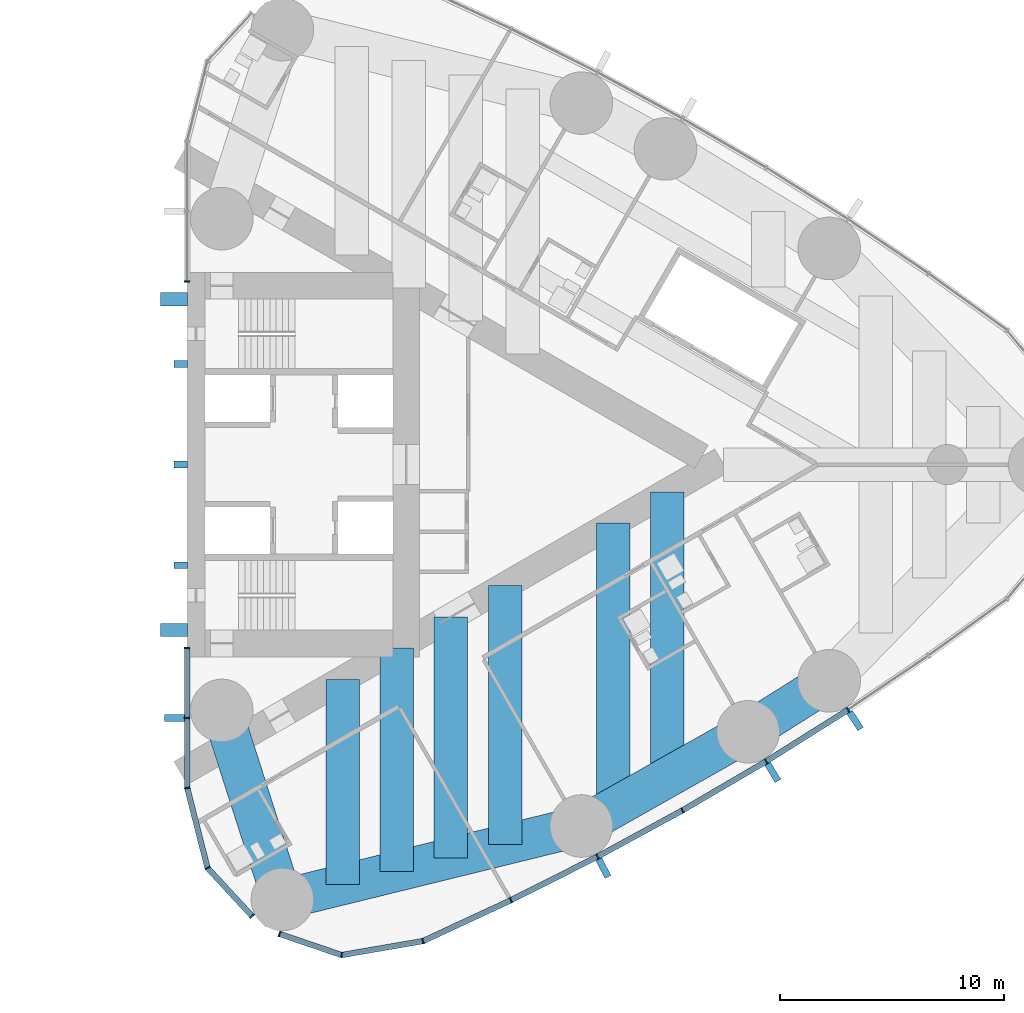
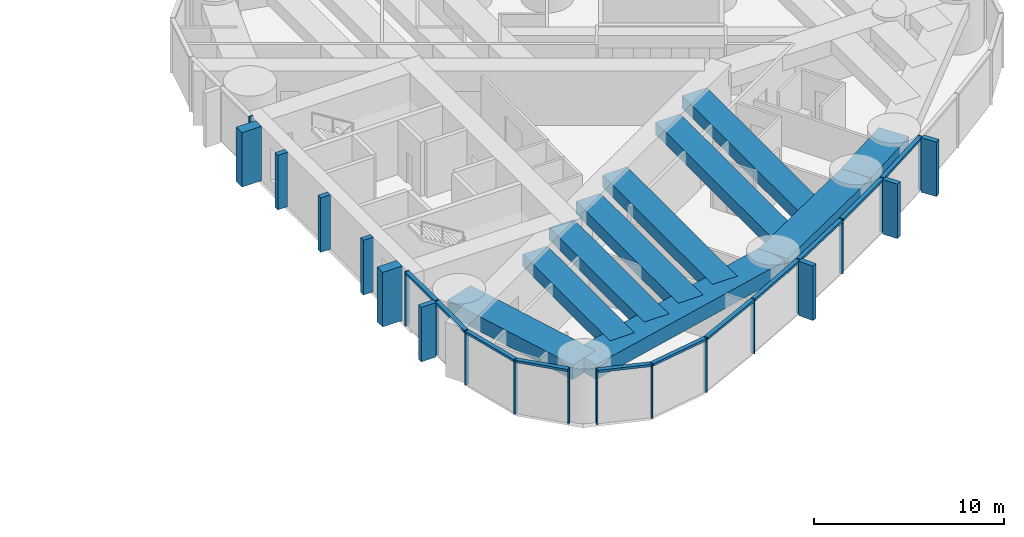
# One storey, part 6 of 19: 34 members, 10 beams, 3 elements without a shape of their own.
"""IFC4 building model written with IfcOpenShell, lengths in metres."""

from ifc_helpers import new_model, si_unit, direction, frame, origin, origin_2d, place, context, subcontext, project, spatial, rectangle, extrude, material, material_profile, profile_set, type_object, element, aggregate, save


model = new_model("IFC4")

# Units and contexts
model_context = context("Model", 3, precision=1e-05, world=origin(), true_north=direction((0.0, 1.0)))
body_context = subcontext(model_context, "Body", "Model", "MODEL_VIEW")
ifc_project = project(units=[si_unit("LENGTHUNIT", "METRE"), si_unit("AREAUNIT", "SQUARE_METRE"), si_unit("VOLUMEUNIT", "CUBIC_METRE"), si_unit("PLANEANGLEUNIT", "RADIAN"), si_unit("MASSUNIT", "GRAM", prefix="KILO")], contexts=[model_context])

# Site, building, storey
site_placement = place(None, origin())
site = spatial("IfcSite", under=ifc_project, at=site_placement, CompositionType="ELEMENT")
building_placement = place(site_placement, origin())
building = spatial("IfcBuilding", under=site, at=building_placement, Name="Lancet Gate Hotel", CompositionType="ELEMENT")
storey_placement = place(building_placement, frame((0.0, 0.0, 163.300048828125)))
storey = spatial("IfcBuildingStorey", under=building, at=storey_placement, Name="L43", CompositionType="ELEMENT", Elevation=163.300048828125)

# Curtain wall, members
ifc_material_1 = material(Name="Aluminium curtain wall", Category="aluminium")
curtain_wall_type = type_object("IfcCurtainWallType", Name="Tower unitised curtain wall", PredefinedType="USERDEFINED", material=ifc_material_1)
curtain_wall_1_placement = place(storey_placement, origin())
curtain_wall_1 = element("IfcCurtainWall", 1, at=curtain_wall_1_placement, inside=storey, type_object=curtain_wall_type, Name="T2 L43 curtain wall 1", ObjectType="UNITISED CURTAIN WALL", PredefinedType="USERDEFINED")
ifc_material_2 = material(Name="Aluminium mullion", Category="aluminium")
ifc_material_profile_1 = material_profile(ifc_material_2, rectangle(XDim=0.06494140625, YDim=0.25, at=origin_2d()), Name="MULLION 65x250")
ifc_profile_set_1 = profile_set([ifc_material_profile_1], Name="Aluminium mullion")
member_type_1 = type_object("IfcMemberType", Name="Aluminium mullion 65x250", PredefinedType="MULLION", material=ifc_profile_set_1)
member_1_placement = place(storey_placement, frame((27.5, -8.199951171875, 0.0), z_axis=(0.0, 0.0, 1.0), x_axis=(0.0, -1.0, 0.0)))
member_1 = element("IfcMember", 2, at=member_1_placement, type_object=member_type_1, Name="T2 L43 curtain wall 1 mullion 1", PredefinedType="MULLION", context=body_context, shape_type="SweptSolid", body=[
    extrude(rectangle(XDim=0.06494140625, YDim=0.25, at=origin_2d()), origin(), (0.0, 0.0, 1.0), 3.5),
])
member_2_placement = place(storey_placement, frame((27.5, -11.332763671875, 0.0), z_axis=(0.0, 0.0, 1.0), x_axis=(0.0, -1.0, 0.0)))
member_2 = element("IfcMember", 3, at=member_2_placement, type_object=member_type_1, Name="T2 L43 curtain wall 1 mullion 2", PredefinedType="MULLION", context=body_context, shape_type="SweptSolid", body=[
    extrude(rectangle(XDim=0.06494140625, YDim=0.25, at=origin_2d()), origin(), (0.0, 0.0, 1.0), 3.5),
])
member_3_placement = place(storey_placement, frame((27.5, -14.465576171875, 0.0), z_axis=(0.0, 0.0, 1.0), x_axis=(0.134206524909, -0.990953383703, 0.0)))
member_3 = element("IfcMember", 4, at=member_3_placement, type_object=member_type_1, Name="T2 L43 curtain wall 1 mullion 3", PredefinedType="MULLION", context=body_context, shape_type="SweptSolid", body=[
    extrude(rectangle(XDim=0.06494140625, YDim=0.25, at=origin_2d()), origin(), (0.0, 0.0, 1.0), 3.5),
])
member_4_placement = place(storey_placement, frame((28.408935546875, -18.04443359375, 0.0), z_axis=(0.0, 0.0, 1.0), x_axis=(0.451505925065, -0.892268120932, 0.0)))
member_4 = element("IfcMember", 5, at=member_4_placement, type_object=member_type_1, Name="T2 L43 curtain wall 1 mullion 4", PredefinedType="MULLION", context=body_context, shape_type="SweptSolid", body=[
    extrude(rectangle(XDim=0.06494140625, YDim=0.25, at=origin_2d()), origin(), (0.0, 0.0, 1.0), 3.5),
])
member_5_placement = place(storey_placement, frame((30.40185546875, -20.199951171875, 0.0), z_axis=(0.0, 0.0, 1.0), x_axis=(0.67883123083, -0.734294327943, 0.0)))
member_5 = element("IfcMember", 6, at=member_5_placement, type_object=member_type_1, Name="T2 L43 curtain wall 1 mullion 5", PredefinedType="MULLION", context=body_context, shape_type="SweptSolid", body=[
    extrude(rectangle(XDim=0.06494140625, YDim=0.25, at=origin_2d()), origin(), (0.0, 0.0, 1.0), 3.5),
])

curtain_wall_2_placement = place(storey_placement, origin())
curtain_wall_2 = element("IfcCurtainWall", 7, at=curtain_wall_2_placement, inside=storey, type_object=curtain_wall_type, Name="T2 L43 curtain wall 2", ObjectType="UNITISED CURTAIN WALL", PredefinedType="USERDEFINED")
member_6_placement = place(storey_placement, frame((31.631591796875, -20.998779296875, 0.0), z_axis=(0.0, 0.0, 1.0), x_axis=(0.946952368511, -0.321373943827, 0.0)))
member_6 = element("IfcMember", 8, at=member_6_placement, type_object=member_type_1, Name="T2 L43 curtain wall 2 mullion 1", PredefinedType="MULLION", context=body_context, shape_type="SweptSolid", body=[
    extrude(rectangle(XDim=0.06494140625, YDim=0.25, at=origin_2d()), origin(), (0.0, 0.0, 1.0), 3.5),
])
member_7_placement = place(storey_placement, frame((34.412109375, -21.9423828125, 0.0), z_axis=(0.0, 0.0, 1.0), x_axis=(0.99877556888, -0.049470829879, 0.0)))
member_7 = element("IfcMember", 9, at=member_7_placement, type_object=member_type_1, Name="T2 L43 curtain wall 2 mullion 2", PredefinedType="MULLION", context=body_context, shape_type="SweptSolid", body=[
    extrude(rectangle(XDim=0.06494140625, YDim=0.25, at=origin_2d()), origin(), (0.0, 0.0, 1.0), 3.5),
])
member_8_placement = place(storey_placement, frame((38.05126953125, -21.31689453125, 0.0), z_axis=(0.0, 0.0, 1.0), x_axis=(0.951355493327, 0.308095318555, 0.0)))
member_8 = element("IfcMember", 10, at=member_8_placement, type_object=member_type_1, Name="T2 L43 curtain wall 2 mullion 3", PredefinedType="MULLION", context=body_context, shape_type="SweptSolid", body=[
    extrude(rectangle(XDim=0.06494140625, YDim=0.25, at=origin_2d()), origin(), (0.0, 0.0, 1.0), 3.5),
])
member_9_placement = place(storey_placement, frame((41.98193359375, -19.490966796875, 0.0), z_axis=(0.0, 0.0, 1.0), x_axis=(0.900141333422, 0.435597956681, 0.0)))
member_9 = element("IfcMember", 11, at=member_9_placement, type_object=member_type_1, Name="T2 L43 curtain wall 2 mullion 4", PredefinedType="MULLION", context=body_context, shape_type="SweptSolid", body=[
    extrude(rectangle(XDim=0.06494140625, YDim=0.25, at=origin_2d()), origin(), (0.0, 0.0, 1.0), 3.5),
])
member_10_placement = place(storey_placement, frame((45.8525390625, -17.54150390625, 0.0), z_axis=(0.0, 0.0, 1.0), x_axis=(0.885877049989, 0.463920092584, 0.0)))
member_10 = element("IfcMember", 12, at=member_10_placement, type_object=member_type_1, Name="T2 L43 curtain wall 2 mullion 5", PredefinedType="MULLION", context=body_context, shape_type="SweptSolid", body=[
    extrude(rectangle(XDim=0.06494140625, YDim=0.25, at=origin_2d()), origin(), (0.0, 0.0, 1.0), 3.5),
])
member_11_placement = place(storey_placement, frame((49.65966796875, -15.47021484375, 0.0), z_axis=(0.0, 0.0, 1.0), x_axis=(0.870721916932, 0.491775704336, 0.0)))
member_11 = element("IfcMember", 13, at=member_11_placement, type_object=member_type_1, Name="T2 L43 curtain wall 2 mullion 6", PredefinedType="MULLION", context=body_context, shape_type="SweptSolid", body=[
    extrude(rectangle(XDim=0.06494140625, YDim=0.25, at=origin_2d()), origin(), (0.0, 0.0, 1.0), 3.5),
])
member_12_placement = place(storey_placement, frame((53.39892578125, -13.279541015625, 0.0), z_axis=(0.0, 0.0, 1.0), x_axis=(0.854691174453, 0.519136779965, 0.0)))
member_12 = element("IfcMember", 14, at=member_12_placement, type_object=member_type_1, Name="T2 L43 curtain wall 2 mullion 7", PredefinedType="MULLION", context=body_context, shape_type="SweptSolid", body=[
    extrude(rectangle(XDim=0.06494140625, YDim=0.25, at=origin_2d()), origin(), (0.0, 0.0, 1.0), 3.5),
])
member_13_placement = place(storey_placement, frame((57.067138671875, -10.970947265625, 0.0), z_axis=(0.0, 0.0, 1.0), x_axis=(0.837800943278, 0.545975804815, 0.0)))
member_13 = element("IfcMember", 15, at=member_13_placement, type_object=member_type_1, Name="T2 L43 curtain wall 2 mullion 8", PredefinedType="MULLION", context=body_context, shape_type="SweptSolid", body=[
    extrude(rectangle(XDim=0.06494140625, YDim=0.25, at=origin_2d()), origin(), (0.0, 0.0, 1.0), 3.5),
])

# Curtain wall, member
curtain_wall_3_placement = place(storey_placement, origin())
curtain_wall_3 = element("IfcCurtainWall", 16, at=curtain_wall_3_placement, inside=storey, type_object=curtain_wall_type, Name="T2 L43 curtain wall 4", ObjectType="UNITISED CURTAIN WALL", PredefinedType="USERDEFINED")
member_14_placement = place(storey_placement, frame((27.5, 8.199951171875, 0.0), z_axis=(0.0, 0.0, 1.0), x_axis=(0.0, -1.0, 0.0)))
member_14 = element("IfcMember", 17, at=member_14_placement, type_object=member_type_1, Name="T2 L43 curtain wall 4 mullion 5", PredefinedType="MULLION", context=body_context, shape_type="SweptSolid", body=[
    extrude(rectangle(XDim=0.06494140625, YDim=0.25, at=origin_2d()), origin(), (0.0, 0.0, 1.0), 3.5),
])
aggregate(curtain_wall_3, [member_14])

# Member
ifc_material_3 = material(Name="Aluminium transom", Category="aluminium")
ifc_material_profile_2 = material_profile(ifc_material_3, rectangle(XDim=0.25, YDim=0.14990234375, at=origin_2d()), Name="TRANSOM 250x150")
ifc_profile_set_2 = profile_set([ifc_material_profile_2], Name="Aluminium transom")
member_type_2 = type_object("IfcMemberType", Name="Aluminium transom 250x150", PredefinedType="USERDEFINED", material=ifc_profile_set_2)
member_15_placement = place(storey_placement, frame((27.5, -8.232421875, 3.425048828125), z_axis=(0.0, -1.0, 0.0), x_axis=(1.0, 0.0, 0.0)))
member_15 = element("IfcMember", 18, at=member_15_placement, type_object=member_type_2, Name="T2 L43 curtain wall 1 transom 1", ObjectType="TRANSOM", PredefinedType="USERDEFINED", context=body_context, shape_type="SweptSolid", body=[
    extrude(rectangle(XDim=0.25, YDim=0.14990234375, at=origin_2d()), origin(), (0.0, 0.0, 1.0), 3.06787109375),
])

member_16_placement = place(storey_placement, frame((27.5, -11.365234375, 3.425048828125), z_axis=(0.0, -1.0, 0.0), x_axis=(1.0, 0.0, 0.0)))
member_16 = element("IfcMember", 19, at=member_16_placement, type_object=member_type_2, Name="T2 L43 curtain wall 1 transom 2", ObjectType="TRANSOM", PredefinedType="USERDEFINED", context=body_context, shape_type="SweptSolid", body=[
    extrude(rectangle(XDim=0.25, YDim=0.14990234375, at=origin_2d()), origin(), (0.0, 0.0, 1.0), 3.06787109375),
])

member_17_placement = place(storey_placement, frame((27.508056640625, -14.4970703125, 3.425048828125), z_axis=(0.246128756616, -0.969237140831, 0.0), x_axis=(0.969237140831, 0.246128756616, 0.0)))
member_17 = element("IfcMember", 20, at=member_17_placement, type_object=member_type_2, Name="T2 L43 curtain wall 1 transom 3", ObjectType="TRANSOM", PredefinedType="USERDEFINED", context=body_context, shape_type="SweptSolid", body=[
    extrude(rectangle(XDim=0.25, YDim=0.14990234375, at=origin_2d()), origin(), (0.0, 0.0, 1.0), 3.62744140625),
])

member_18_placement = place(storey_placement, frame((28.43115234375, -18.068359375, 3.425048828125), z_axis=(0.678792146129, -0.734330458549, 0.0), x_axis=(0.734330458549, 0.678792146129, 0.0)))
member_18 = element("IfcMember", 21, at=member_18_placement, type_object=member_type_2, Name="T2 L43 curtain wall 1 transom 4", ObjectType="TRANSOM", PredefinedType="USERDEFINED", context=body_context, shape_type="SweptSolid", body=[
    extrude(rectangle(XDim=0.25, YDim=0.14990234375, at=origin_2d()), origin(), (0.0, 0.0, 1.0), 2.87060546875),
])

member_19_placement = place(storey_placement, frame((31.662353515625, -21.00927734375, 3.425048828125), z_axis=(0.946943122832, -0.321401185625, 0.0), x_axis=(0.321401185625, 0.946943122832, 0.0)))
member_19 = element("IfcMember", 22, at=member_19_placement, type_object=member_type_2, Name="T2 L43 curtain wall 2 transom 1", ObjectType="TRANSOM", PredefinedType="USERDEFINED", context=body_context, shape_type="SweptSolid", body=[
    extrude(rectangle(XDim=0.25, YDim=0.14990234375, at=origin_2d()), origin(), (0.0, 0.0, 1.0), 2.871337890625),
])

member_20_placement = place(storey_placement, frame((34.444091796875, -21.93701171875, 3.425048828125), z_axis=(0.985536950873, 0.169460669373, 0.0), x_axis=(-0.169460669373, 0.985536950873, 0.0)))
member_20 = element("IfcMember", 23, at=member_20_placement, type_object=member_type_2, Name="T2 L43 curtain wall 2 transom 2", ObjectType="TRANSOM", PredefinedType="USERDEFINED", context=body_context, shape_type="SweptSolid", body=[
    extrude(rectangle(XDim=0.25, YDim=0.14990234375, at=origin_2d()), origin(), (0.0, 0.0, 1.0), 3.627685546875),
])

member_21_placement = place(storey_placement, frame((38.080810546875, -21.30322265625, 3.425048828125), z_axis=(0.906913768492, 0.421316290357, 0.0), x_axis=(-0.421316290357, 0.906913768492, 0.0)))
member_21 = element("IfcMember", 24, at=member_21_placement, type_object=member_type_2, Name="T2 L43 curtain wall 2 transom 3", ObjectType="TRANSOM", PredefinedType="USERDEFINED", context=body_context, shape_type="SweptSolid", body=[
    extrude(rectangle(XDim=0.25, YDim=0.14990234375, at=origin_2d()), origin(), (0.0, 0.0, 1.0), 4.26904296875),
])

member_22_placement = place(storey_placement, frame((42.010986328125, -19.476318359375, 3.425048828125), z_axis=(0.893130969207, 0.449796700571, 0.0), x_axis=(-0.449796700571, 0.893130969207, 0.0)))
member_22 = element("IfcMember", 25, at=member_22_placement, type_object=member_type_2, Name="T2 L43 curtain wall 2 transom 4", ObjectType="TRANSOM", PredefinedType="USERDEFINED", context=body_context, shape_type="SweptSolid", body=[
    extrude(rectangle(XDim=0.25, YDim=0.14990234375, at=origin_2d()), origin(), (0.0, 0.0, 1.0), 4.26904296875),
])

member_23_placement = place(storey_placement, frame((45.881103515625, -17.526123046875, 3.425048828125), z_axis=(0.878404302735, 0.477918278513, 0.0), x_axis=(-0.477918278513, 0.878404302735, 0.0)))
member_23 = element("IfcMember", 26, at=member_23_placement, type_object=member_type_2, Name="T2 L43 curtain wall 2 transom 5", ObjectType="TRANSOM", PredefinedType="USERDEFINED", context=body_context, shape_type="SweptSolid", body=[
    extrude(rectangle(XDim=0.25, YDim=0.14990234375, at=origin_2d()), origin(), (0.0, 0.0, 1.0), 4.26904296875),
])

member_24_placement = place(storey_placement, frame((49.687744140625, -15.453857421875, 3.425048828125), z_axis=(0.862825279032, 0.505502262966, 0.0), x_axis=(-0.505502262966, 0.862825279032, 0.0)))
member_24 = element("IfcMember", 27, at=member_24_placement, type_object=member_type_2, Name="T2 L43 curtain wall 2 transom 6", ObjectType="TRANSOM", PredefinedType="USERDEFINED", context=body_context, shape_type="SweptSolid", body=[
    extrude(rectangle(XDim=0.25, YDim=0.14990234375, at=origin_2d()), origin(), (0.0, 0.0, 1.0), 4.26904296875),
])

member_25_placement = place(storey_placement, frame((53.426513671875, -13.26220703125, 3.425048828125), z_axis=(0.846333101657, 0.532653997488, 0.0), x_axis=(-0.532653997488, 0.846333101657, 0.0)))
member_25 = element("IfcMember", 28, at=member_25_placement, type_object=member_type_2, Name="T2 L43 curtain wall 2 transom 7", ObjectType="TRANSOM", PredefinedType="USERDEFINED", context=body_context, shape_type="SweptSolid", body=[
    extrude(rectangle(XDim=0.25, YDim=0.14990234375, at=origin_2d()), origin(), (0.0, 0.0, 1.0), 4.26904296875),
])

# Beams
ifc_material_4 = material(Name="Concrete C50/60", Category="concrete")
ifc_material_profile_3 = material_profile(ifc_material_4, rectangle(XDim=1.800048828125, YDim=0.949951171875, at=origin_2d()), Name="RC 1800x950")
ifc_profile_set_3 = profile_set([ifc_material_profile_3], Name="Concrete C50/60")
beam_type_1 = type_object("IfcBeamType", Name="Edge beam RC 1800x950", PredefinedType="SPANDREL", material=ifc_profile_set_3)
beam_1_placement = place(storey_placement, frame((31.759765625, -19.455810546875, 2.77490234375), z_axis=(0.971093253227, 0.238700426344, 0.0), x_axis=(-0.238700426344, 0.971093253227, 0.0)))
element("IfcBeam", 29, at=beam_1_placement, inside=storey, type_object=beam_type_1, Name="T2 edge beam EB1 L43", PredefinedType="SPANDREL", context=body_context, shape_type="SweptSolid", body=[
    extrude(rectangle(XDim=1.800048828125, YDim=0.949951171875, at=origin_2d()), origin(), (0.0, 0.0, 1.0), 13.77197265625),
])
beam_2_placement = place(storey_placement, frame((45.133544921875, -16.16845703125, 2.77490234375), z_axis=(0.870721990329, 0.491775574381, 0.0), x_axis=(-0.491775574381, 0.870721990329, 0.0)))
element("IfcBeam", 30, at=beam_2_placement, inside=storey, type_object=beam_type_1, Name="T2 edge beam EB1 L43", PredefinedType="SPANDREL", context=body_context, shape_type="SweptSolid", body=[
    extrude(rectangle(XDim=1.800048828125, YDim=0.949951171875, at=origin_2d()), origin(), (0.0, 0.0, 1.0), 8.568603515625),
])
beam_3_placement = place(storey_placement, frame((52.594482421875, -11.95458984375, 2.77490234375), z_axis=(0.846348902569, 0.532628890617, 0.0), x_axis=(-0.532628890617, 0.846348902569, 0.0)))
element("IfcBeam", 31, at=beam_3_placement, inside=storey, type_object=beam_type_1, Name="T2 edge beam EB1 L43", PredefinedType="SPANDREL", context=body_context, shape_type="SweptSolid", body=[
    extrude(rectangle(XDim=1.800048828125, YDim=0.949951171875, at=origin_2d()), origin(), (0.0, 0.0, 1.0), 4.284912109375),
])
beam_4_placement = place(storey_placement, frame((31.759765625, -19.455810546875, 2.77490234375), z_axis=(-0.305169772986, 0.952297962644, 0.0), x_axis=(-0.952297962644, -0.305169772986, 0.0)))
element("IfcBeam", 32, at=beam_4_placement, inside=storey, type_object=beam_type_1, Name="T2 edge beam EB1 L43", PredefinedType="SPANDREL", context=body_context, shape_type="SweptSolid", body=[
    extrude(rectangle(XDim=1.800048828125, YDim=0.949951171875, at=origin_2d()), origin(), (0.0, 0.0, 1.0), 8.87939453125),
])

# Members
ifc_material_5 = material(Name="Concrete C60/75", Category="concrete")
ifc_material_profile_4 = material_profile(ifc_material_5, rectangle(XDim=0.60009765625, YDim=1.199951171875, at=origin_2d()), Name="FIN 600x1200")
ifc_profile_set_4 = profile_set([ifc_material_profile_4], Name="Concrete C60/75")
member_type_3 = type_object("IfcMemberType", Name="Exposed concrete buttress pilaster 600x1200", PredefinedType="USERDEFINED", material=ifc_profile_set_4)
for number, where, z_axis, x_axis, name in (
    (33, (26.909912109375, -7.39990234375, 0.0), (0.0, 0.0, 1.0), (0.0, 1.0, 0.0), "T2 buttress pilaster S L43"),
    (34, (26.909912109375, 7.39990234375, 0.0), (0.0, 0.0, 1.0), (0.0, 1.0, 0.0), "T2 buttress pilaster N L43"),
):
    element("IfcMember", number, at=place(storey_placement, frame(where, z_axis=z_axis, x_axis=x_axis)), inside=storey, type_object=member_type_3, Name=name, ObjectType="FIN", PredefinedType="USERDEFINED", context=body_context, shape_type="SweptSolid", body=[
        extrude(rectangle(XDim=0.60009765625, YDim=1.199951171875, at=origin_2d()), origin(), (0.0, 0.0, 1.0), 3.5),
    ])

# Member
ifc_material_6 = material(Name="Precast concrete C50/60", Category="concrete")
ifc_material_profile_5 = material_profile(ifc_material_6, rectangle(XDim=0.300048828125, YDim=0.89990234375, at=origin_2d()), Name="FIN 300x900")
ifc_profile_set_5 = profile_set([ifc_material_profile_5], Name="Precast concrete C50/60")
member_type_4 = type_object("IfcMemberType", Name="Exposed concrete fin 300x900", PredefinedType="USERDEFINED", material=ifc_profile_set_5)
member_26_placement = place(storey_placement, frame((26.925048828125, -11.332763671875, 0.0), z_axis=(0.0, 0.0, 1.0), x_axis=(0.0, -1.0, 0.0)))
member_26 = element("IfcMember", 35, at=member_26_placement, type_object=member_type_4, Name="T2 L43 curtain wall 1 fin 2", ObjectType="FIN", PredefinedType="USERDEFINED", context=body_context, shape_type="SweptSolid", body=[
    extrude(rectangle(XDim=0.300048828125, YDim=0.89990234375, at=origin_2d()), origin(), (0.0, 0.0, 1.0), 3.5),
])

aggregate(curtain_wall_1, [member_1, member_2, member_26, member_3, member_4, member_5, member_15, member_16, member_17, member_18])

member_27_placement = place(storey_placement, frame((46.119384765625, -18.051025390625, 0.0), z_axis=(0.0, 0.0, 1.0), x_axis=(0.885877049989, 0.463920092584, 0.0)))
member_27 = element("IfcMember", 36, at=member_27_placement, type_object=member_type_4, Name="T2 L43 curtain wall 2 fin 5", ObjectType="FIN", PredefinedType="USERDEFINED", context=body_context, shape_type="SweptSolid", body=[
    extrude(rectangle(XDim=0.300048828125, YDim=0.89990234375, at=origin_2d()), origin(), (0.0, 0.0, 1.0), 3.5),
])

member_28_placement = place(storey_placement, frame((53.697509765625, -13.770751953125, 0.0), z_axis=(0.0, 0.0, 1.0), x_axis=(0.854691174453, 0.519136779965, 0.0)))
member_28 = element("IfcMember", 37, at=member_28_placement, type_object=member_type_4, Name="T2 L43 curtain wall 2 fin 7", ObjectType="FIN", PredefinedType="USERDEFINED", context=body_context, shape_type="SweptSolid", body=[
    extrude(rectangle(XDim=0.300048828125, YDim=0.89990234375, at=origin_2d()), origin(), (0.0, 0.0, 1.0), 3.5),
])

member_29_placement = place(storey_placement, frame((57.381103515625, -11.452880859375, 0.0), z_axis=(0.0, 0.0, 1.0), x_axis=(0.837800943278, 0.545975804815, 0.0)))
member_29 = element("IfcMember", 38, at=member_29_placement, type_object=member_type_4, Name="T2 L43 curtain wall 2 fin 8", ObjectType="FIN", PredefinedType="USERDEFINED", context=body_context, shape_type="SweptSolid", body=[
    extrude(rectangle(XDim=0.300048828125, YDim=0.89990234375, at=origin_2d()), origin(), (0.0, 0.0, 1.0), 3.5),
])

aggregate(curtain_wall_2, [member_6, member_7, member_8, member_9, member_10, member_27, member_11, member_12, member_28, member_13, member_29, member_19, member_20, member_21, member_22, member_23, member_24, member_25])

# Members
ifc_material_7 = material(Name="Concrete C60/75", Category="concrete")
ifc_material_profile_6 = material_profile(ifc_material_7, rectangle(XDim=0.300048828125, YDim=0.60009765625, at=origin_2d()), Name="FIN 300x600")
ifc_profile_set_6 = profile_set([ifc_material_profile_6], Name="Concrete C60/75")
member_type_5 = type_object("IfcMemberType", Name="Exposed concrete rib 300x600", PredefinedType="USERDEFINED", material=ifc_profile_set_6)
for number, where, z_axis, x_axis, name in (
    (39, (27.2099609375, -4.5, 0.0), (0.0, 0.0, 1.0), (0.0, 1.0, 0.0), "T2 core rib 1 L43"),
    (40, (27.2099609375, 0.0, 0.0), (0.0, 0.0, 1.0), (0.0, 1.0, 0.0), "T2 core rib 2 L43"),
    (41, (27.2099609375, 4.5, 0.0), (0.0, 0.0, 1.0), (0.0, 1.0, 0.0), "T2 core rib 3 L43"),
):
    element("IfcMember", number, at=place(storey_placement, frame(where, z_axis=z_axis, x_axis=x_axis)), inside=storey, type_object=member_type_5, Name=name, ObjectType="FIN", PredefinedType="USERDEFINED", context=body_context, shape_type="SweptSolid", body=[
        extrude(rectangle(XDim=0.300048828125, YDim=0.60009765625, at=origin_2d()), origin(), (0.0, 0.0, 1.0), 3.5),
    ])

# Beams
ifc_material_8 = material(Name="Concrete C50/60", Category="concrete")
ifc_material_profile_7 = material_profile(ifc_material_8, rectangle(XDim=1.5, YDim=0.800048828125, at=origin_2d()), Name="RC 1500x800")
ifc_profile_set_7 = profile_set([ifc_material_profile_7], Name="Concrete C50/60")
beam_type_2 = type_object("IfcBeamType", Name="Floor beam RC 1500x800", PredefinedType="BEAM", material=ifc_profile_set_7)
beam_5_placement = place(storey_placement, frame((34.460693359375, -18.7919921875, 2.849853515625), z_axis=(0.0, 1.0, 0.0), x_axis=(-1.0, 0.0, 0.0)))
element("IfcBeam", 42, at=beam_5_placement, inside=storey, type_object=beam_type_2, Name="T2 floor beam F01S L43", PredefinedType="BEAM", context=body_context, shape_type="SweptSolid", body=[
    extrude(rectangle(XDim=1.5, YDim=0.800048828125, at=origin_2d()), origin(), (0.0, 0.0, 1.0), 9.18408203125),
])
beam_6_placement = place(storey_placement, frame((36.880859375, -18.197021484375, 2.849853515625), z_axis=(0.0, 1.0, 0.0), x_axis=(-1.0, 0.0, 0.0)))
element("IfcBeam", 43, at=beam_6_placement, inside=storey, type_object=beam_type_2, Name="T2 floor beam F03S L43", PredefinedType="BEAM", context=body_context, shape_type="SweptSolid", body=[
    extrude(rectangle(XDim=1.5, YDim=0.800048828125, at=origin_2d()), origin(), (0.0, 0.0, 1.0), 9.986328125),
])
beam_7_placement = place(storey_placement, frame((39.301025390625, -17.60205078125, 2.849853515625), z_axis=(0.0, 1.0, 0.0), x_axis=(-1.0, 0.0, 0.0)))
element("IfcBeam", 44, at=beam_7_placement, inside=storey, type_object=beam_type_2, Name="T2 floor beam F05S L43", PredefinedType="BEAM", context=body_context, shape_type="SweptSolid", body=[
    extrude(rectangle(XDim=1.5, YDim=0.800048828125, at=origin_2d()), origin(), (0.0, 0.0, 1.0), 10.78857421875),
])
beam_8_placement = place(storey_placement, frame((41.721435546875, -17.007080078125, 2.849853515625), z_axis=(0.0, 1.0, 0.0), x_axis=(-1.0, 0.0, 0.0)))
element("IfcBeam", 45, at=beam_8_placement, inside=storey, type_object=beam_type_2, Name="T2 floor beam F07S L43", PredefinedType="BEAM", context=body_context, shape_type="SweptSolid", body=[
    extrude(rectangle(XDim=1.5, YDim=0.800048828125, at=origin_2d()), origin(), (0.0, 0.0, 1.0), 11.591064453125),
])
beam_9_placement = place(storey_placement, frame((46.561767578125, -15.36181640625, 2.849853515625), z_axis=(0.0, 1.0, 0.0), x_axis=(-1.0, 0.0, 0.0)))
element("IfcBeam", 46, at=beam_9_placement, inside=storey, type_object=beam_type_2, Name="T2 floor beam F09S L43", PredefinedType="BEAM", context=body_context, shape_type="SweptSolid", body=[
    extrude(rectangle(XDim=1.5, YDim=0.800048828125, at=origin_2d()), origin(), (0.0, 0.0, 1.0), 12.740478515625),
])
beam_10_placement = place(storey_placement, frame((48.98193359375, -13.994873046875, 2.849853515625), z_axis=(0.0, 1.0, 0.0), x_axis=(-1.0, 0.0, 0.0)))
element("IfcBeam", 47, at=beam_10_placement, inside=storey, type_object=beam_type_2, Name="T2 floor beam F10S L43", PredefinedType="BEAM", context=body_context, shape_type="SweptSolid", body=[
    extrude(rectangle(XDim=1.5, YDim=0.800048828125, at=origin_2d()), origin(), (0.0, 0.0, 1.0), 12.770751953125),
])

save(model, "model.ifc")
